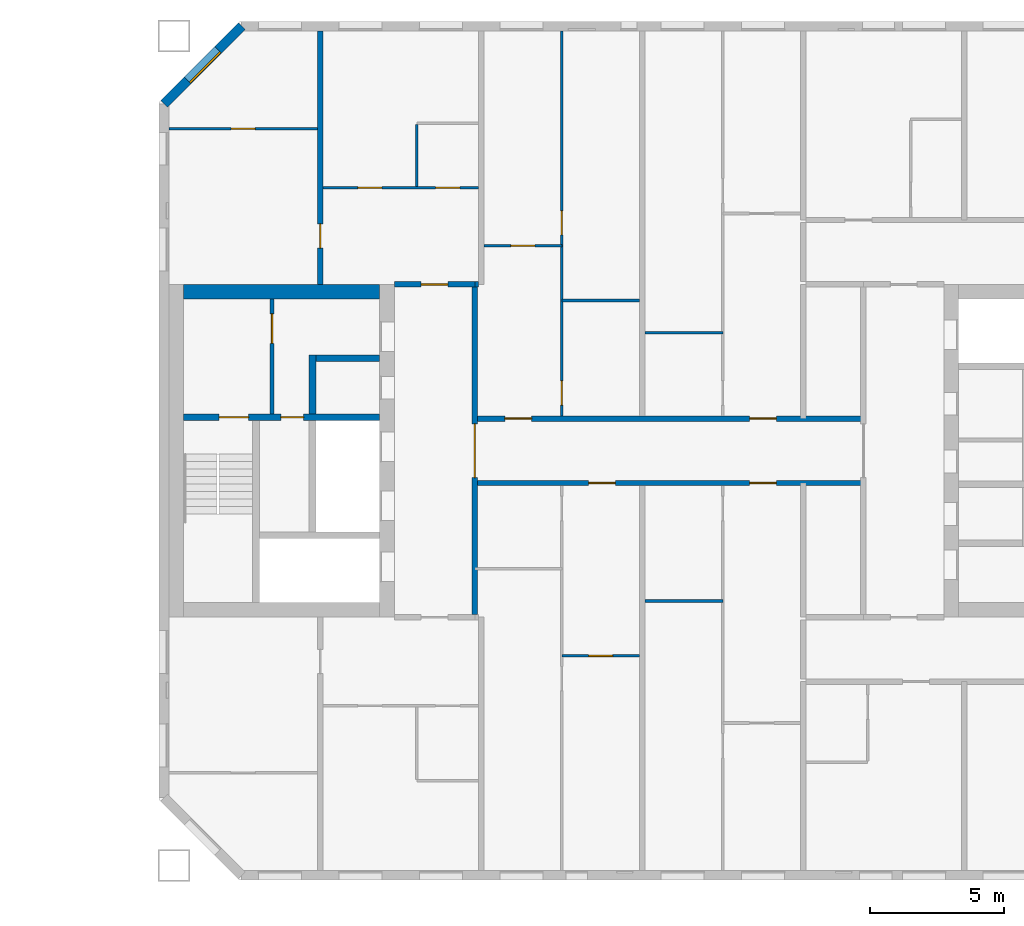
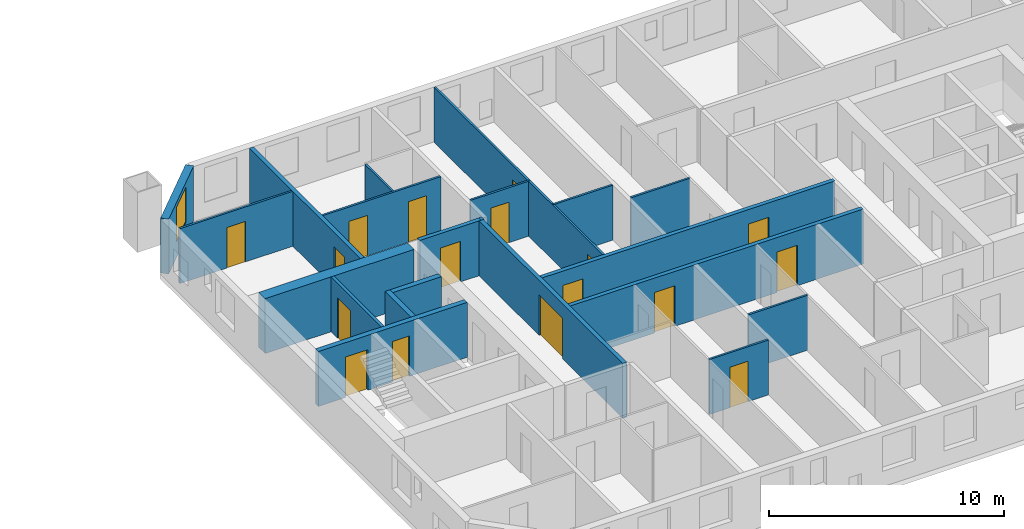
# One storey, part 11 of 16: 21 walls, 17 doors, 1 window, 18 openings.
"""IFC4 building model written with IfcOpenShell, lengths in metres."""

from ifc_helpers import new_model, si_unit, direction, frame, frame_2d, origin, place, context, subcontext, project, spatial, rectangle, extrude, material, layer, layer_set, type_object, element, fill, save


model = new_model("IFC4")

# Units and contexts
model_context = context("Model", 3, precision=1e-05, world=origin(), true_north=direction((0.0, 1.0)))
body_context = subcontext(model_context, "Body", "Model", "MODEL_VIEW")
ifc_project = project(units=[si_unit("LENGTHUNIT", "METRE"), si_unit("AREAUNIT", "SQUARE_METRE"), si_unit("VOLUMEUNIT", "CUBIC_METRE"), si_unit("PLANEANGLEUNIT", "RADIAN"), si_unit("MASSUNIT", "GRAM", prefix="KILO")], contexts=[model_context])

# Site, building, storey
site_placement = place(None, origin())
site = spatial("IfcSite", under=ifc_project, at=site_placement, CompositionType="ELEMENT")
building_placement = place(site_placement, origin())
building = spatial("IfcBuilding", under=site, at=building_placement, Name="Tuart Gate Housing", CompositionType="ELEMENT")
storey_placement = place(building_placement, frame((0.0, 0.0, 136.10009765625)))
storey = spatial("IfcBuildingStorey", under=building, at=storey_placement, Name="L38", CompositionType="ELEMENT", Elevation=136.10009765625)

# Wall, opening, window
ifc_material_1 = material(Name="Brick", Category="masonry")
ifc_layer_1 = layer(ifc_material_1, 0.360107421875)
ifc_layer_set_1 = layer_set([ifc_layer_1], Name="Brick pier and spandrel wall 360")
wall_type_1 = type_object("IfcWallType", Name="Brick pier and spandrel wall 360", PredefinedType="STANDARD", material=ifc_layer_set_1)
wall_1_placement = place(storey_placement, frame((134.07470703125, 85.820068359375, 0.0), z_axis=(0.0, 0.0, 1.0), x_axis=(-0.707106781187, -0.707106781187, 0.0)))
wall_1 = element("IfcWall", 1, at=wall_1_placement, inside=storey, type_object=wall_type_1, Name="External wall B-NW L38", PredefinedType="STANDARD", context=body_context, shape_type="SweptSolid", body=[
    extrude(rectangle(XDim=4.09375, YDim=0.360107421875, at=frame_2d((2.046875, 0.0))), origin(), (0.0, 0.0, 1.0), 2.849853515625),
])
opening_1_placement = place(wall_1_placement, frame((1.2470703125, 0.0, 0.800048828125)))
opening_1 = element("IfcOpeningElement", 2, at=opening_1_placement, cuts=wall_1, Name="Opening W1", PredefinedType="OPENING", context=body_context, shape_type="SweptSolid", body=[
    extrude(rectangle(XDim=1.60009765625, YDim=1.800048828125, at=frame_2d((0.800048828125, 0.89990234375))), frame((0.0, 0.18994140625, 0.0), z_axis=(0.0, -1.0, 0.0), x_axis=(1.0, 0.0, 0.0)), (0.0, 0.0, 1.0), 0.380126953125),
])
ifc_material_2 = material(Name="Aluminium frame with clear glass", Category="aluminium")
window_type = type_object("IfcWindowType", Name="Punched window 1600 x 1800", PartitioningType="SINGLE_PANEL", PredefinedType="WINDOW", material=ifc_material_2)
window_placement = place(opening_1_placement, origin())
window = element("IfcWindow", 3, at=window_placement, inside=storey, type_object=window_type, Name="Window W1", OverallHeight=1.800048828125, OverallWidth=1.60009765625, PartitioningType="SINGLE_PANEL", PredefinedType="WINDOW", context=body_context, shape_type="SweptSolid", body=[
    extrude(rectangle(XDim=1.60009765625, YDim=1.800048828125, at=frame_2d((0.800048828125, 0.89990234375))), frame((0.0, 0.150146484375, 0.0), z_axis=(0.0, -1.0, 0.0), x_axis=(1.0, 0.0, 0.0)), (0.0, 0.0, 1.0), 0.06005859375),
])
fill(opening_1, window)

# Wall, opening, door
ifc_material_3 = material(Name="Plasterboard partition")
ifc_layer_2 = layer(ifc_material_3, 0.14990234375)
ifc_layer_set_2 = layer_set([ifc_layer_2], Name="Core partition 150")
wall_type_2 = type_object("IfcWallType", Name="Core partition 150", PredefinedType="PARTITIONING", material=ifc_layer_set_2)
wall_2_placement = place(storey_placement, frame((135.2099609375, 71.375, 0.0), z_axis=(0.0, 0.0, 1.0), x_axis=(0.0, 1.0, 0.0)))
wall_2 = element("IfcWall", 4, at=wall_2_placement, inside=storey, type_object=wall_type_2, Name="Core partition BG.6", PredefinedType="PARTITIONING", context=body_context, shape_type="SweptSolid", body=[
    extrude(rectangle(XDim=4.27490234375, YDim=0.14990234375, at=frame_2d((2.137451171875, 0.0))), origin(), (0.0, 0.0, 1.0), 2.849853515625),
])
opening_2_placement = place(wall_2_placement, frame((2.625, 0.0, 0.0)))
opening_2 = element("IfcOpeningElement", 5, at=opening_2_placement, cuts=wall_2, Name="Opening D1481", PredefinedType="OPENING", context=body_context, shape_type="SweptSolid", body=[
    extrude(rectangle(XDim=1.10009765625, YDim=2.10009765625, at=frame_2d((0.550048828125, 1.050048828125))), frame((0.0, 0.0849609375, 0.0), z_axis=(0.0, -1.0, 0.0), x_axis=(1.0, 0.0, 0.0)), (0.0, 0.0, 1.0), 0.169921875),
])
ifc_material_4 = material(Name="Steel fire door", Category="steel")
door_type_1 = type_object("IfcDoorType", Name="Lobby door 1100 x 2100 RH", OperationType="SINGLE_SWING_RIGHT", PredefinedType="DOOR", material=ifc_material_4)
door_1_placement = place(opening_2_placement, origin())
door_1 = element("IfcDoor", 6, at=door_1_placement, inside=storey, type_object=door_type_1, Name="Smoke lobby door BG.KD", OperationType="SINGLE_SWING_RIGHT", OverallHeight=2.10009765625, OverallWidth=1.10009765625, PredefinedType="DOOR", context=body_context, shape_type="SweptSolid", body=[
    extrude(rectangle(XDim=1.10009765625, YDim=2.10009765625, at=frame_2d((0.550048828125, 1.050048828125))), frame((0.0, 0.02490234375, 0.0), z_axis=(0.0, -1.0, 0.0), x_axis=(1.0, 0.0, 0.0)), (0.0, 0.0, 1.0), 0.050048828125),
])
fill(opening_2, door_1)

# Wall, openings, doors
ifc_material_5 = material(Name="Concrete C50", Category="concrete")
ifc_layer_3 = layer(ifc_material_5, 0.25)
ifc_layer_set_3 = layer_set([ifc_layer_3], Name="Core wall 250 C50")
wall_type_3 = type_object("IfcWallType", Name="Core wall 250 C50", PredefinedType="SHEAR", material=ifc_layer_set_3)
wall_3_placement = place(storey_placement, frame((139.2099609375, 71.25, 0.0), z_axis=(0.0, 0.0, 1.0), x_axis=(-1.0, 0.0, 0.0)))
wall_3 = element("IfcWall", 7, at=wall_3_placement, inside=storey, type_object=wall_type_3, Name="Core wall BG.2", PredefinedType="SHEAR", context=body_context, shape_type="SweptSolid", body=[
    extrude(rectangle(XDim=7.300048828125, YDim=0.25, at=frame_2d((3.64990234375, 0.0))), origin(), (0.0, 0.0, 1.0), 2.849853515625),
])
opening_3_placement = place(wall_3_placement, frame((4.875, 0.0, 0.0)))
opening_3 = element("IfcOpeningElement", 8, at=opening_3_placement, cuts=wall_3, Name="Opening D1483", PredefinedType="OPENING", context=body_context, shape_type="SweptSolid", body=[
    extrude(rectangle(XDim=1.10009765625, YDim=2.10009765625, at=frame_2d((0.550048828125, 1.050048828125))), frame((0.0, 0.135009765625, 0.0), z_axis=(0.0, -1.0, 0.0), x_axis=(1.0, 0.0, 0.0)), (0.0, 0.0, 1.0), 0.27001953125),
])
opening_4_placement = place(wall_3_placement, frame((2.824951171875, 0.0, 0.0)))
opening_4 = element("IfcOpeningElement", 9, at=opening_4_placement, cuts=wall_3, Name="Opening D1482", PredefinedType="OPENING", context=body_context, shape_type="SweptSolid", body=[
    extrude(rectangle(XDim=0.85009765625, YDim=2.10009765625, at=frame_2d((0.425048828125, 1.050048828125))), frame((0.0, 0.135009765625, 0.0), z_axis=(0.0, -1.0, 0.0), x_axis=(1.0, 0.0, 0.0)), (0.0, 0.0, 1.0), 0.27001953125),
])
ifc_material_6 = material(Name="Steel fire door", Category="steel")
door_type_2 = type_object("IfcDoorType", Name="Riser door 850 x 2100", OperationType="SINGLE_SWING_LEFT", PredefinedType="DOOR", material=ifc_material_6)
door_2_placement = place(opening_4_placement, origin())
door_2 = element("IfcDoor", 10, at=door_2_placement, inside=storey, type_object=door_type_2, Name="Service room door BG.W1", OperationType="SINGLE_SWING_LEFT", OverallHeight=2.10009765625, OverallWidth=0.85009765625, PredefinedType="DOOR", context=body_context, shape_type="SweptSolid", body=[
    extrude(rectangle(XDim=0.85009765625, YDim=2.10009765625, at=frame_2d((0.425048828125, 1.050048828125))), frame((0.0, 0.02490234375, 0.0), z_axis=(0.0, -1.0, 0.0), x_axis=(1.0, 0.0, 0.0)), (0.0, 0.0, 1.0), 0.050048828125),
])
fill(opening_4, door_2)
ifc_material_7 = material(Name="Steel fire door", Category="steel")
door_type_3 = type_object("IfcDoorType", Name="Stair door 1100 x 2100", OperationType="SINGLE_SWING_LEFT", PredefinedType="DOOR", material=ifc_material_7)
door_3_placement = place(opening_3_placement, origin())
door_3 = element("IfcDoor", 11, at=door_3_placement, inside=storey, type_object=door_type_3, Name="Stair door BG.SD", OperationType="SINGLE_SWING_LEFT", OverallHeight=2.10009765625, OverallWidth=1.10009765625, PredefinedType="DOOR", context=body_context, shape_type="SweptSolid", body=[
    extrude(rectangle(XDim=1.10009765625, YDim=2.10009765625, at=frame_2d((0.550048828125, 1.050048828125))), frame((0.0, 0.02490234375, 0.0), z_axis=(0.0, -1.0, 0.0), x_axis=(1.0, 0.0, 0.0)), (0.0, 0.0, 1.0), 0.050048828125),
])
fill(opening_3, door_3)

# Walls
wall_4_placement = place(storey_placement, frame((139.2099609375, 73.449951171875, 0.0), z_axis=(0.0, 0.0, 1.0), x_axis=(-1.0, 0.0, 0.0)))
element("IfcWall", 12, at=wall_4_placement, inside=storey, type_object=wall_type_3, Name="Core wall BG.3", PredefinedType="SHEAR", context=body_context, shape_type="SweptSolid", body=[
    extrude(rectangle(XDim=2.375, YDim=0.25, at=frame_2d((1.1875, 0.0))), origin(), (0.0, 0.0, 1.0), 2.849853515625),
])
wall_5_placement = place(storey_placement, frame((136.7099609375, 71.375, 0.0), z_axis=(0.0, 0.0, 1.0), x_axis=(0.0, 1.0, 0.0)))
element("IfcWall", 13, at=wall_5_placement, inside=storey, type_object=wall_type_3, Name="Core wall BG.5", PredefinedType="SHEAR", context=body_context, shape_type="SweptSolid", body=[
    extrude(rectangle(XDim=2.199951171875, YDim=0.25, at=frame_2d((1.10009765625, 0.0))), origin(), (0.0, 0.0, 1.0), 2.849853515625),
])
ifc_material_8 = material(Name="Concrete C50", Category="concrete")
ifc_layer_4 = layer(ifc_material_8, 0.550048828125)
ifc_layer_set_4 = layer_set([ifc_layer_4], Name="Core wall 550 C50")
wall_type_4 = type_object("IfcWallType", Name="Core wall 550 C50", PredefinedType="SHEAR", material=ifc_layer_set_4)
wall_6_placement = place(storey_placement, frame((139.2099609375, 75.925048828125, 0.0), z_axis=(0.0, 0.0, 1.0), x_axis=(-1.0, 0.0, 0.0)))
element("IfcWall", 14, at=wall_6_placement, inside=storey, type_object=wall_type_4, Name="Core wall BG north", PredefinedType="SHEAR", context=body_context, shape_type="SweptSolid", body=[
    extrude(rectangle(XDim=7.300048828125, YDim=0.550048828125, at=frame_2d((3.64990234375, 0.0))), origin(), (0.0, 0.0, 1.0), 2.849853515625),
])

# Wall, openings, doors
ifc_material_9 = material(Name="Concrete masonry 15 MPa", Category="masonry")
ifc_layer_5 = layer(ifc_material_9, 0.199951171875)
ifc_layer_set_5 = layer_set([ifc_layer_5], Name="Corridor wall masonry 200")
wall_type_5 = type_object("IfcWallType", Name="Corridor wall masonry 200", PredefinedType="PARTITIONING", material=ifc_layer_set_5)
wall_7_placement = place(storey_placement, frame((142.760009765625, 68.800048828125, 0.0), z_axis=(0.0, 0.0, 1.0), x_axis=(1.0, 0.0, 0.0)))
wall_7 = element("IfcWall", 15, at=wall_7_placement, inside=storey, type_object=wall_type_5, Name="Corridor wall masonry 200", PredefinedType="PARTITIONING", context=body_context, shape_type="SweptSolid", body=[
    extrude(rectangle(XDim=14.47998046875, YDim=0.199951171875, at=frame_2d((7.239990234375, 0.0))), origin(), (0.0, 0.0, 1.0), 2.849853515625),
])
opening_5_placement = place(wall_7_placement, frame((4.239990234375, 0.0, 0.0)))
opening_5 = element("IfcOpeningElement", 16, at=opening_5_placement, cuts=wall_7, Name="Opening D1495", PredefinedType="OPENING", context=body_context, shape_type="SweptSolid", body=[
    extrude(rectangle(XDim=1.0, YDim=2.10009765625, at=frame_2d((0.5, 1.050048828125))), frame((0.0, 0.10986328125, 0.0), z_axis=(0.0, -1.0, 0.0), x_axis=(1.0, 0.0, 0.0)), (0.0, 0.0, 1.0), 0.219970703125),
])
opening_6_placement = place(wall_7_placement, frame((10.239990234375, 0.0, 0.0)))
opening_6 = element("IfcOpeningElement", 17, at=opening_6_placement, cuts=wall_7, Name="Opening D1496", PredefinedType="OPENING", context=body_context, shape_type="SweptSolid", body=[
    extrude(rectangle(XDim=1.0, YDim=2.10009765625, at=frame_2d((0.5, 1.050048828125))), frame((0.0, 0.10986328125, 0.0), z_axis=(0.0, -1.0, 0.0), x_axis=(1.0, 0.0, 0.0)), (0.0, 0.0, 1.0), 0.219970703125),
])
ifc_material_10 = material(Name="Timber door leaf in steel frame", Category="steel")
door_type_4 = type_object("IfcDoorType", Name="Flat entrance door 1000 RH", OperationType="SINGLE_SWING_RIGHT", PredefinedType="DOOR", material=ifc_material_10)
door_4_placement = place(opening_5_placement, frame((1.0, 0.0, 0.0), z_axis=(0.0, 0.0, 1.0), x_axis=(-1.0, 0.0, 0.0)))
door_4 = element("IfcDoor", 18, at=door_4_placement, inside=storey, type_object=door_type_4, Name="Flat entrance door", OperationType="SINGLE_SWING_RIGHT", OverallHeight=2.10009765625, OverallWidth=1.0, PredefinedType="DOOR", context=body_context, shape_type="SweptSolid", body=[
    extrude(rectangle(XDim=1.0, YDim=2.10009765625, at=frame_2d((0.5, 1.050048828125))), frame((0.0, 0.025146484375, 0.0), z_axis=(0.0, -1.0, 0.0), x_axis=(1.0, 0.0, 0.0)), (0.0, 0.0, 1.0), 0.050048828125),
])
fill(opening_5, door_4)
door_5_placement = place(opening_6_placement, frame((1.0, 0.0, 0.0), z_axis=(0.0, 0.0, 1.0), x_axis=(-1.0, 0.0, 0.0)))
door_5 = element("IfcDoor", 19, at=door_5_placement, inside=storey, type_object=door_type_4, Name="Flat entrance door", OperationType="SINGLE_SWING_RIGHT", OverallHeight=2.10009765625, OverallWidth=1.0, PredefinedType="DOOR", context=body_context, shape_type="SweptSolid", body=[
    extrude(rectangle(XDim=1.0, YDim=2.10009765625, at=frame_2d((0.5, 1.050048828125))), frame((0.0, 0.025146484375, 0.0), z_axis=(0.0, -1.0, 0.0), x_axis=(1.0, 0.0, 0.0)), (0.0, 0.0, 1.0), 0.050048828125),
])
fill(opening_6, door_5)

wall_8_placement = place(storey_placement, frame((142.760009765625, 71.199951171875, 0.0), z_axis=(0.0, 0.0, 1.0), x_axis=(1.0, 0.0, 0.0)))
wall_8 = element("IfcWall", 20, at=wall_8_placement, inside=storey, type_object=wall_type_5, Name="Corridor wall masonry 200", PredefinedType="PARTITIONING", context=body_context, shape_type="SweptSolid", body=[
    extrude(rectangle(XDim=14.47998046875, YDim=0.199951171875, at=frame_2d((7.239990234375, 0.0))), origin(), (0.0, 0.0, 1.0), 2.849853515625),
])
opening_7_placement = place(wall_8_placement, frame((1.1201171875, 0.0, 0.0)))
opening_7 = element("IfcOpeningElement", 21, at=opening_7_placement, cuts=wall_8, Name="Opening D1484", PredefinedType="OPENING", context=body_context, shape_type="SweptSolid", body=[
    extrude(rectangle(XDim=1.0, YDim=2.10009765625, at=frame_2d((0.5, 1.050048828125))), frame((0.0, 0.10986328125, 0.0), z_axis=(0.0, -1.0, 0.0), x_axis=(1.0, 0.0, 0.0)), (0.0, 0.0, 1.0), 0.219970703125),
])
opening_8_placement = place(wall_8_placement, frame((10.239990234375, 0.0, 0.0)))
opening_8 = element("IfcOpeningElement", 22, at=opening_8_placement, cuts=wall_8, Name="Opening D1485", PredefinedType="OPENING", context=body_context, shape_type="SweptSolid", body=[
    extrude(rectangle(XDim=1.0, YDim=2.10009765625, at=frame_2d((0.5, 1.050048828125))), frame((0.0, 0.10986328125, 0.0), z_axis=(0.0, -1.0, 0.0), x_axis=(1.0, 0.0, 0.0)), (0.0, 0.0, 1.0), 0.219970703125),
])
ifc_material_11 = material(Name="Timber door leaf in steel frame", Category="steel")
door_type_5 = type_object("IfcDoorType", Name="Flat entrance door 1000", OperationType="SINGLE_SWING_LEFT", PredefinedType="DOOR", material=ifc_material_11)
door_6_placement = place(opening_7_placement, origin())
door_6 = element("IfcDoor", 23, at=door_6_placement, inside=storey, type_object=door_type_5, Name="Flat entrance door", OperationType="SINGLE_SWING_LEFT", OverallHeight=2.10009765625, OverallWidth=1.0, PredefinedType="DOOR", context=body_context, shape_type="SweptSolid", body=[
    extrude(rectangle(XDim=1.0, YDim=2.10009765625, at=frame_2d((0.5, 1.050048828125))), frame((0.0, 0.02490234375, 0.0), z_axis=(0.0, -1.0, 0.0), x_axis=(1.0, 0.0, 0.0)), (0.0, 0.0, 1.0), 0.050048828125),
])
fill(opening_7, door_6)
door_7_placement = place(opening_8_placement, origin())
door_7 = element("IfcDoor", 24, at=door_7_placement, inside=storey, type_object=door_type_5, Name="Flat entrance door", OperationType="SINGLE_SWING_LEFT", OverallHeight=2.10009765625, OverallWidth=1.0, PredefinedType="DOOR", context=body_context, shape_type="SweptSolid", body=[
    extrude(rectangle(XDim=1.0, YDim=2.10009765625, at=frame_2d((0.5, 1.050048828125))), frame((0.0, 0.02490234375, 0.0), z_axis=(0.0, -1.0, 0.0), x_axis=(1.0, 0.0, 0.0)), (0.0, 0.0, 1.0), 0.050048828125),
])
fill(opening_8, door_7)

# Wall, opening, door
ifc_material_12 = material(Name="Concrete masonry 15 MPa", Category="masonry")
ifc_layer_6 = layer(ifc_material_12, 0.199951171875)
ifc_layer_set_6 = layer_set([ifc_layer_6], Name="Enclosure wall masonry 200")
wall_type_6 = type_object("IfcWallType", Name="Enclosure wall masonry 200", PredefinedType="PARTITIONING", material=ifc_layer_set_6)
wall_9_placement = place(storey_placement, frame((139.760009765625, 76.199951171875, 0.0), z_axis=(0.0, 0.0, 1.0), x_axis=(1.0, 0.0, 0.0)))
wall_9 = element("IfcWall", 25, at=wall_9_placement, inside=storey, type_object=wall_type_6, Name="Enclosure wall masonry 200", PredefinedType="PARTITIONING", context=body_context, shape_type="SweptSolid", body=[
    extrude(rectangle(XDim=3.0, YDim=0.199951171875, at=frame_2d((1.5, 0.0))), origin(), (0.0, 0.0, 1.0), 2.849853515625),
])
opening_9_placement = place(wall_9_placement, frame((1.0, 0.0, 0.0)))
opening_9 = element("IfcOpeningElement", 26, at=opening_9_placement, cuts=wall_9, Name="Opening D1479", PredefinedType="OPENING", context=body_context, shape_type="SweptSolid", body=[
    extrude(rectangle(XDim=1.0, YDim=2.10009765625, at=frame_2d((0.5, 1.050048828125))), frame((0.0, 0.10986328125, 0.0), z_axis=(0.0, -1.0, 0.0), x_axis=(1.0, 0.0, 0.0)), (0.0, 0.0, 1.0), 0.219970703125),
])
door_8_placement = place(opening_9_placement, origin())
door_8 = element("IfcDoor", 27, at=door_8_placement, inside=storey, type_object=door_type_4, Name="Flat entrance door", OperationType="SINGLE_SWING_RIGHT", OverallHeight=2.10009765625, OverallWidth=1.0, PredefinedType="DOOR", context=body_context, shape_type="SweptSolid", body=[
    extrude(rectangle(XDim=1.0, YDim=2.10009765625, at=frame_2d((0.5, 1.050048828125))), frame((0.0, 0.02490234375, 0.0), z_axis=(0.0, -1.0, 0.0), x_axis=(1.0, 0.0, 0.0)), (0.0, 0.0, 1.0), 0.050048828125),
])
fill(opening_9, door_8)

ifc_material_13 = material(Name="Plasterboard partition")
ifc_layer_7 = layer(ifc_material_13, 0.199951171875)
ifc_layer_set_7 = layer_set([ifc_layer_7], Name="Lobby wall 200")
wall_type_7 = type_object("IfcWallType", Name="Lobby wall 200", PredefinedType="PARTITIONING", material=ifc_layer_set_7)
wall_10_placement = place(storey_placement, frame((142.760009765625, 63.89990234375, 0.0), z_axis=(0.0, 0.0, 1.0), x_axis=(0.0, 1.0, 0.0)))
wall_10 = element("IfcWall", 28, at=wall_10_placement, inside=storey, type_object=wall_type_7, Name="Lift lobby wall BG", PredefinedType="PARTITIONING", context=body_context, shape_type="SweptSolid", body=[
    extrude(rectangle(XDim=12.2001953125, YDim=0.199951171875, at=frame_2d((6.10009765625, 0.0))), origin(), (0.0, 0.0, 1.0), 2.849853515625),
])
opening_10_placement = place(wall_10_placement, frame((5.10009765625, 0.0, 0.0)))
opening_10 = element("IfcOpeningElement", 29, at=opening_10_placement, cuts=wall_10, Name="Opening D1489", PredefinedType="OPENING", context=body_context, shape_type="SweptSolid", body=[
    extrude(rectangle(XDim=2.0, YDim=2.10009765625, at=frame_2d((1.0, 1.050048828125))), frame((0.0, 0.10986328125, 0.0), z_axis=(0.0, -1.0, 0.0), x_axis=(1.0, 0.0, 0.0)), (0.0, 0.0, 1.0), 0.219970703125),
])
ifc_material_14 = material(Name="Steel fire door", Category="steel")
door_type_6 = type_object("IfcDoorType", Name="Smoke door 2000 x 2100", OperationType="DOUBLE_DOOR_SINGLE_SWING", PredefinedType="DOOR", material=ifc_material_14)
door_9_placement = place(opening_10_placement, origin())
door_9 = element("IfcDoor", 30, at=door_9_placement, inside=storey, type_object=door_type_6, Name="Lift lobby smoke door BG", OperationType="DOUBLE_DOOR_SINGLE_SWING", OverallHeight=2.10009765625, OverallWidth=2.0, PredefinedType="DOOR", context=body_context, shape_type="SweptSolid", body=[
    extrude(rectangle(XDim=2.0, YDim=2.10009765625, at=frame_2d((1.0, 1.050048828125))), frame((0.0, 0.02490234375, 0.0), z_axis=(0.0, -1.0, 0.0), x_axis=(1.0, 0.0, 0.0)), (0.0, 0.0, 1.0), 0.050048828125),
])
fill(opening_10, door_9)

ifc_material_15 = material(Name="Gypsum board on steel studs", Category="steel")
ifc_layer_8 = layer(ifc_material_15, 0.10009765625)
ifc_layer_set_8 = layer_set([ifc_layer_8], Name="Partition 100")
wall_type_8 = type_object("IfcWallType", Name="Partition 100", PredefinedType="PARTITIONING", material=ifc_layer_set_8)
wall_11_placement = place(storey_placement, frame((146.0, 62.360107421875, 0.0), z_axis=(0.0, 0.0, 1.0), x_axis=(1.0, 0.0, 0.0)))
wall_11 = element("IfcWall", 31, at=wall_11_placement, inside=storey, type_object=wall_type_8, Name="Partition 100", PredefinedType="PARTITIONING", context=body_context, shape_type="SweptSolid", body=[
    extrude(rectangle(XDim=2.89990234375, YDim=0.10009765625, at=frame_2d((1.449951171875, 0.0))), origin(), (0.0, 0.0, 1.0), 2.849853515625),
])
opening_11_placement = place(wall_11_placement, frame((1.0, 0.0, 0.0)))
opening_11 = element("IfcOpeningElement", 32, at=opening_11_placement, cuts=wall_11, Name="Opening D1501", PredefinedType="OPENING", context=body_context, shape_type="SweptSolid", body=[
    extrude(rectangle(XDim=0.89990234375, YDim=2.10009765625, at=frame_2d((0.449951171875, 1.050048828125))), frame((0.0, 0.06005859375, 0.0), z_axis=(0.0, -1.0, 0.0), x_axis=(1.0, 0.0, 0.0)), (0.0, 0.0, 1.0), 0.1201171875),
])
ifc_material_16 = material(Name="Timber door leaf in steel frame", Category="steel")
door_type_7 = type_object("IfcDoorType", Name="Internal door 900", OperationType="SINGLE_SWING_LEFT", PredefinedType="DOOR", material=ifc_material_16)
door_10_placement = place(opening_11_placement, origin())
door_10 = element("IfcDoor", 33, at=door_10_placement, inside=storey, type_object=door_type_7, Name="Internal door", OperationType="SINGLE_SWING_LEFT", OverallHeight=2.10009765625, OverallWidth=0.89990234375, PredefinedType="DOOR", context=body_context, shape_type="SweptSolid", body=[
    extrude(rectangle(XDim=0.89990234375, YDim=2.10009765625, at=frame_2d((0.449951171875, 1.050048828125))), frame((0.0, 0.02490234375, 0.0), z_axis=(0.0, -1.0, 0.0), x_axis=(1.0, 0.0, 0.0)), (0.0, 0.0, 1.0), 0.050048828125),
])
fill(opening_11, door_10)

# Walls
for number, where, z_axis, x_axis, name in (
    (34, (149.10009765625, 64.39990234375, 0.0), (0.0, 0.0, 1.0), (1.0, 0.0, 0.0), "Partition 100"),
    (35, (149.10009765625, 74.39990234375, 0.0), (0.0, 0.0, 1.0), (1.0, 0.0, 0.0), "Partition 100"),
    (36, (146.0, 75.60009765625, 0.0), (0.0, 0.0, 1.0), (1.0, 0.0, 0.0), "Partition 100"),
):
    element("IfcWall", number, at=place(storey_placement, frame(where, z_axis=z_axis, x_axis=x_axis)), inside=storey, type_object=wall_type_8, Name=name, PredefinedType="PARTITIONING", context=body_context, shape_type="SweptSolid", body=[
        extrude(rectangle(XDim=2.89990234375, YDim=0.10009765625, at=frame_2d((1.449951171875, 0.0))), origin(), (0.0, 0.0, 1.0), 2.849853515625),
    ])

# Wall, opening, door
wall_12_placement = place(storey_placement, frame((143.10009765625, 77.639892578125, 0.0), z_axis=(0.0, 0.0, 1.0), x_axis=(1.0, 0.0, 0.0)))
wall_12 = element("IfcWall", 37, at=wall_12_placement, inside=storey, type_object=wall_type_8, Name="Partition 100", PredefinedType="PARTITIONING", context=body_context, shape_type="SweptSolid", body=[
    extrude(rectangle(XDim=2.89990234375, YDim=0.10009765625, at=frame_2d((1.449951171875, 0.0))), origin(), (0.0, 0.0, 1.0), 2.849853515625),
])
opening_12_placement = place(wall_12_placement, frame((1.0, 0.0, 0.0)))
opening_12 = element("IfcOpeningElement", 38, at=opening_12_placement, cuts=wall_12, Name="Opening D1478", PredefinedType="OPENING", context=body_context, shape_type="SweptSolid", body=[
    extrude(rectangle(XDim=0.89990234375, YDim=2.10009765625, at=frame_2d((0.449951171875, 1.050048828125))), frame((0.0, 0.06005859375, 0.0), z_axis=(0.0, -1.0, 0.0), x_axis=(1.0, 0.0, 0.0)), (0.0, 0.0, 1.0), 0.1201171875),
])
door_11_placement = place(opening_12_placement, frame((0.89990234375, 0.0, 0.0), z_axis=(0.0, 0.0, 1.0), x_axis=(-1.0, 0.0, 0.0)))
door_11 = element("IfcDoor", 39, at=door_11_placement, inside=storey, type_object=door_type_7, Name="Internal door", OperationType="SINGLE_SWING_LEFT", OverallHeight=2.10009765625, OverallWidth=0.89990234375, PredefinedType="DOOR", context=body_context, shape_type="SweptSolid", body=[
    extrude(rectangle(XDim=0.89990234375, YDim=2.10009765625, at=frame_2d((0.449951171875, 1.050048828125))), frame((0.0, 0.025146484375, 0.0), z_axis=(0.0, -1.0, 0.0), x_axis=(1.0, 0.0, 0.0)), (0.0, 0.0, 1.0), 0.050048828125),
])
fill(opening_12, door_11)

# Wall, openings, doors
wall_13_placement = place(storey_placement, frame((137.10009765625, 79.800048828125, 0.0), z_axis=(0.0, 0.0, 1.0), x_axis=(1.0, 0.0, 0.0)))
wall_13 = element("IfcWall", 40, at=wall_13_placement, inside=storey, type_object=wall_type_8, Name="Partition 100", PredefinedType="PARTITIONING", context=body_context, shape_type="SweptSolid", body=[
    extrude(rectangle(XDim=5.7998046875, YDim=0.10009765625, at=frame_2d((2.89990234375, 0.0))), origin(), (0.0, 0.0, 1.0), 2.849853515625),
])
opening_13_placement = place(wall_13_placement, frame((1.300048828125, 0.0, 0.0)))
opening_13 = element("IfcOpeningElement", 41, at=opening_13_placement, cuts=wall_13, Name="Opening D1470", PredefinedType="OPENING", context=body_context, shape_type="SweptSolid", body=[
    extrude(rectangle(XDim=0.89990234375, YDim=2.10009765625, at=frame_2d((0.449951171875, 1.050048828125))), frame((0.0, 0.06005859375, 0.0), z_axis=(0.0, -1.0, 0.0), x_axis=(1.0, 0.0, 0.0)), (0.0, 0.0, 1.0), 0.1201171875),
])
opening_14_placement = place(wall_13_placement, frame((4.199951171875, 0.0, 0.0)))
opening_14 = element("IfcOpeningElement", 42, at=opening_14_placement, cuts=wall_13, Name="Opening D1469", PredefinedType="OPENING", context=body_context, shape_type="SweptSolid", body=[
    extrude(rectangle(XDim=0.89990234375, YDim=2.10009765625, at=frame_2d((0.449951171875, 1.050048828125))), frame((0.0, 0.06005859375, 0.0), z_axis=(0.0, -1.0, 0.0), x_axis=(1.0, 0.0, 0.0)), (0.0, 0.0, 1.0), 0.1201171875),
])
ifc_material_17 = material(Name="Timber door leaf in steel frame", Category="steel")
door_type_8 = type_object("IfcDoorType", Name="Bathroom door 900", OperationType="SINGLE_SWING_LEFT", PredefinedType="DOOR", material=ifc_material_17)
door_12_placement = place(opening_14_placement, origin())
door_12 = element("IfcDoor", 43, at=door_12_placement, inside=storey, type_object=door_type_8, Name="Bathroom door", OperationType="SINGLE_SWING_LEFT", OverallHeight=2.10009765625, OverallWidth=0.89990234375, PredefinedType="DOOR", context=body_context, shape_type="SweptSolid", body=[
    extrude(rectangle(XDim=0.89990234375, YDim=2.10009765625, at=frame_2d((0.449951171875, 1.050048828125))), frame((0.0, 0.02490234375, 0.0), z_axis=(0.0, -1.0, 0.0), x_axis=(1.0, 0.0, 0.0)), (0.0, 0.0, 1.0), 0.050048828125),
])
fill(opening_14, door_12)
ifc_material_18 = material(Name="Timber door leaf in steel frame", Category="steel")
door_type_9 = type_object("IfcDoorType", Name="Internal door 900 RH", OperationType="SINGLE_SWING_RIGHT", PredefinedType="DOOR", material=ifc_material_18)
door_13_placement = place(opening_13_placement, origin())
door_13 = element("IfcDoor", 44, at=door_13_placement, inside=storey, type_object=door_type_9, Name="Internal door", OperationType="SINGLE_SWING_RIGHT", OverallHeight=2.10009765625, OverallWidth=0.89990234375, PredefinedType="DOOR", context=body_context, shape_type="SweptSolid", body=[
    extrude(rectangle(XDim=0.89990234375, YDim=2.10009765625, at=frame_2d((0.449951171875, 1.050048828125))), frame((0.0, 0.02490234375, 0.0), z_axis=(0.0, -1.0, 0.0), x_axis=(1.0, 0.0, 0.0)), (0.0, 0.0, 1.0), 0.050048828125),
])
fill(opening_13, door_13)

# Wall, opening, door
wall_14_placement = place(storey_placement, frame((131.360107421875, 82.0, 0.0), z_axis=(0.0, 0.0, 1.0), x_axis=(1.0, 0.0, 0.0)))
wall_14 = element("IfcWall", 45, at=wall_14_placement, inside=storey, type_object=wall_type_8, Name="Partition 100", PredefinedType="PARTITIONING", context=body_context, shape_type="SweptSolid", body=[
    extrude(rectangle(XDim=5.539794921875, YDim=0.10009765625, at=frame_2d((2.77001953125, 0.0))), origin(), (0.0, 0.0, 1.0), 2.849853515625),
])
opening_15_placement = place(wall_14_placement, frame((2.320068359375, 0.0, 0.0)))
opening_15 = element("IfcOpeningElement", 46, at=opening_15_placement, cuts=wall_14, Name="Opening D1466", PredefinedType="OPENING", context=body_context, shape_type="SweptSolid", body=[
    extrude(rectangle(XDim=0.89990234375, YDim=2.10009765625, at=frame_2d((0.449951171875, 1.050048828125))), frame((0.0, 0.06005859375, 0.0), z_axis=(0.0, -1.0, 0.0), x_axis=(1.0, 0.0, 0.0)), (0.0, 0.0, 1.0), 0.1201171875),
])
door_14_placement = place(opening_15_placement, origin())
door_14 = element("IfcDoor", 47, at=door_14_placement, inside=storey, type_object=door_type_7, Name="Internal door", OperationType="SINGLE_SWING_LEFT", OverallHeight=2.10009765625, OverallWidth=0.89990234375, PredefinedType="DOOR", context=body_context, shape_type="SweptSolid", body=[
    extrude(rectangle(XDim=0.89990234375, YDim=2.10009765625, at=frame_2d((0.449951171875, 1.050048828125))), frame((0.0, 0.02490234375, 0.0), z_axis=(0.0, -1.0, 0.0), x_axis=(1.0, 0.0, 0.0)), (0.0, 0.0, 1.0), 0.050048828125),
])
fill(opening_15, door_14)

# Wall
wall_15_placement = place(storey_placement, frame((140.60009765625, 79.85009765625, 0.0), z_axis=(0.0, 0.0, 1.0), x_axis=(0.0, 1.0, 0.0)))
element("IfcWall", 48, at=wall_15_placement, inside=storey, type_object=wall_type_8, Name="Partition 100", PredefinedType="PARTITIONING", context=body_context, shape_type="SweptSolid", body=[
    extrude(rectangle(XDim=2.2998046875, YDim=0.10009765625, at=frame_2d((1.14990234375, 0.0))), origin(), (0.0, 0.0, 1.0), 2.849853515625),
])

# Wall, openings, doors
wall_16_placement = place(storey_placement, frame((146.0, 71.300048828125, 0.0), z_axis=(0.0, 0.0, 1.0), x_axis=(0.0, 1.0, 0.0)))
wall_16 = element("IfcWall", 49, at=wall_16_placement, inside=storey, type_object=wall_type_8, Name="Partition 100", PredefinedType="PARTITIONING", context=body_context, shape_type="SweptSolid", body=[
    extrude(rectangle(XDim=14.33984375, YDim=0.10009765625, at=frame_2d((7.169921875, 0.0))), origin(), (0.0, 0.0, 1.0), 2.849853515625),
])
opening_16_placement = place(wall_16_placement, frame((6.739990234375, 0.0, 0.0)))
opening_16 = element("IfcOpeningElement", 50, at=opening_16_placement, cuts=wall_16, Name="Opening D1475", PredefinedType="OPENING", context=body_context, shape_type="SweptSolid", body=[
    extrude(rectangle(XDim=0.89990234375, YDim=2.10009765625, at=frame_2d((0.449951171875, 1.050048828125))), frame((0.0, 0.06005859375, 0.0), z_axis=(0.0, -1.0, 0.0), x_axis=(1.0, 0.0, 0.0)), (0.0, 0.0, 1.0), 0.1201171875),
])
opening_17_placement = place(wall_16_placement, frame((0.39990234375, 0.0, 0.0)))
opening_17 = element("IfcOpeningElement", 51, at=opening_17_placement, cuts=wall_16, Name="Opening D1474", PredefinedType="OPENING", context=body_context, shape_type="SweptSolid", body=[
    extrude(rectangle(XDim=0.89990234375, YDim=2.10009765625, at=frame_2d((0.449951171875, 1.050048828125))), frame((0.0, 0.06005859375, 0.0), z_axis=(0.0, -1.0, 0.0), x_axis=(1.0, 0.0, 0.0)), (0.0, 0.0, 1.0), 0.1201171875),
])
ifc_material_19 = material(Name="Timber door leaf in steel frame", Category="steel")
door_type_10 = type_object("IfcDoorType", Name="Bathroom door 900 RH", OperationType="SINGLE_SWING_RIGHT", PredefinedType="DOOR", material=ifc_material_19)
door_15_placement = place(opening_17_placement, frame((0.89990234375, 0.0, 0.0), z_axis=(0.0, 0.0, 1.0), x_axis=(-1.0, 0.0, 0.0)))
door_15 = element("IfcDoor", 52, at=door_15_placement, inside=storey, type_object=door_type_10, Name="Bathroom door", OperationType="SINGLE_SWING_RIGHT", OverallHeight=2.10009765625, OverallWidth=0.89990234375, PredefinedType="DOOR", context=body_context, shape_type="SweptSolid", body=[
    extrude(rectangle(XDim=0.89990234375, YDim=2.10009765625, at=frame_2d((0.449951171875, 1.050048828125))), frame((0.0, 0.025146484375, 0.0), z_axis=(0.0, -1.0, 0.0), x_axis=(1.0, 0.0, 0.0)), (0.0, 0.0, 1.0), 0.050048828125),
])
fill(opening_17, door_15)
door_16_placement = place(opening_16_placement, frame((0.89990234375, 0.0, 0.0), z_axis=(0.0, 0.0, 1.0), x_axis=(-1.0, 0.0, 0.0)))
door_16 = element("IfcDoor", 53, at=door_16_placement, inside=storey, type_object=door_type_9, Name="Internal door", OperationType="SINGLE_SWING_RIGHT", OverallHeight=2.10009765625, OverallWidth=0.89990234375, PredefinedType="DOOR", context=body_context, shape_type="SweptSolid", body=[
    extrude(rectangle(XDim=0.89990234375, YDim=2.10009765625, at=frame_2d((0.449951171875, 1.050048828125))), frame((0.0, 0.025146484375, 0.0), z_axis=(0.0, -1.0, 0.0), x_axis=(1.0, 0.0, 0.0)), (0.0, 0.0, 1.0), 0.050048828125),
])
fill(opening_16, door_16)

# Wall, opening, door
ifc_material_20 = material(Name="Concrete C40", Category="concrete")
ifc_layer_9 = layer(ifc_material_20, 0.199951171875)
ifc_layer_set_9 = layer_set([ifc_layer_9], Name="Party wall concrete C40 200")
wall_type_9 = type_object("IfcWallType", Name="Party wall concrete C40 200", PredefinedType="SOLIDWALL", material=ifc_layer_set_9)
wall_17_placement = place(storey_placement, frame((137.0, 76.199951171875, 0.0), z_axis=(0.0, 0.0, 1.0), x_axis=(0.0, 1.0, 0.0)))
wall_17 = element("IfcWall", 54, at=wall_17_placement, inside=storey, type_object=wall_type_9, Name="Party wall concrete C40 200", PredefinedType="SOLIDWALL", context=body_context, shape_type="SweptSolid", body=[
    extrude(rectangle(XDim=9.43994140625, YDim=0.199951171875, at=frame_2d((4.719970703125, 0.0))), origin(), (0.0, 0.0, 1.0), 2.849853515625),
])
opening_18_placement = place(wall_17_placement, frame((1.35009765625, 0.0, 0.0)))
opening_18 = element("IfcOpeningElement", 55, at=opening_18_placement, cuts=wall_17, Name="Opening D1467", PredefinedType="OPENING", context=body_context, shape_type="SweptSolid", body=[
    extrude(rectangle(XDim=0.89990234375, YDim=2.10009765625, at=frame_2d((0.449951171875, 1.050048828125))), frame((0.0, 0.10986328125, 0.0), z_axis=(0.0, -1.0, 0.0), x_axis=(1.0, 0.0, 0.0)), (0.0, 0.0, 1.0), 0.219970703125),
])
door_17_placement = place(opening_18_placement, frame((0.89990234375, 0.0, 0.0), z_axis=(0.0, 0.0, 1.0), x_axis=(-1.0, 0.0, 0.0)))
door_17 = element("IfcDoor", 56, at=door_17_placement, inside=storey, type_object=door_type_9, Name="Internal door", OperationType="SINGLE_SWING_RIGHT", OverallHeight=2.10009765625, OverallWidth=0.89990234375, PredefinedType="DOOR", context=body_context, shape_type="SweptSolid", body=[
    extrude(rectangle(XDim=0.89990234375, YDim=2.10009765625, at=frame_2d((0.449951171875, 1.050048828125))), frame((0.0, 0.025146484375, 0.0), z_axis=(0.0, -1.0, 0.0), x_axis=(1.0, 0.0, 0.0)), (0.0, 0.0, 1.0), 0.050048828125),
])
fill(opening_18, door_17)

# Wall
ifc_material_21 = material(Name="Concrete masonry 15 MPa", Category="masonry")
ifc_layer_10 = layer(ifc_material_21, 0.199951171875)
ifc_layer_set_10 = layer_set([ifc_layer_10], Name="Party wall masonry 200")
wall_type_10 = type_object("IfcWallType", Name="Party wall masonry 200", PredefinedType="PARTITIONING", material=ifc_layer_set_10)
wall_18_placement = place(storey_placement, frame((142.760009765625, 76.199951171875, 0.0), z_axis=(0.0, 0.0, 1.0), x_axis=(1.0, 0.0, 0.0)))
element("IfcWall", 57, at=wall_18_placement, inside=storey, type_object=wall_type_10, Name="Party wall masonry 200", PredefinedType="PARTITIONING", context=body_context, shape_type="SweptSolid", body=[
    extrude(rectangle(XDim=0.139892578125, YDim=0.199951171875, at=frame_2d((0.06982421875, 0.0))), origin(), (0.0, 0.0, 1.0), 2.849853515625),
])

save(model, "model.ifc")
